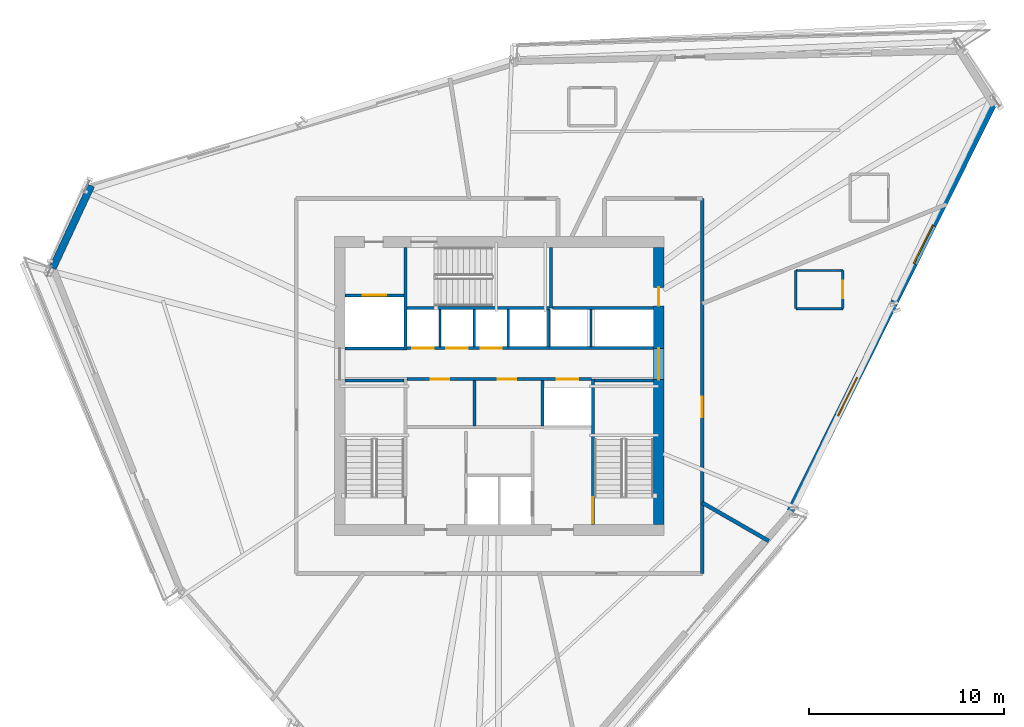
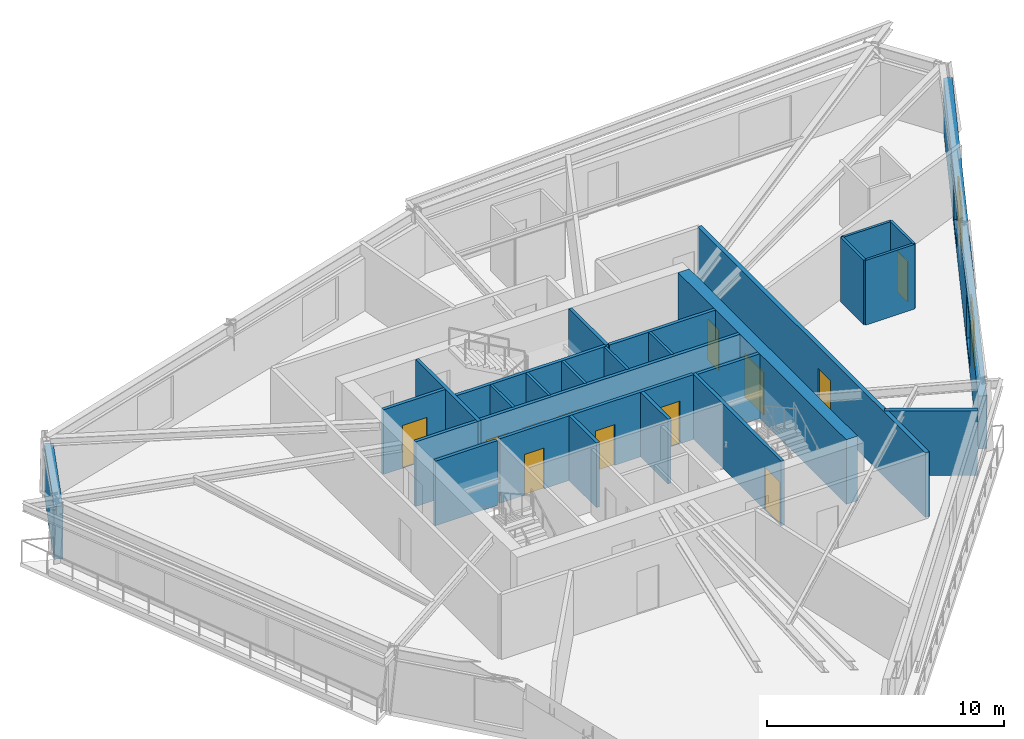
# One storey, part 8 of 13: 27 walls, 12 doors, 2 windows, 14 openings.
"""IFC4 building model written with IfcOpenShell, lengths in metres."""

from ifc_helpers import new_model, si_unit, direction, frame, frame_2d, origin, place, context, subcontext, project, spatial, rectangle, extrude, source, transform, mapped, material, layer, layer_set, type_object, type_shapes, element, fill, save


model = new_model("IFC4")

# Units and contexts
model_context = context("Model", 3, precision=1e-05, world=origin(), true_north=direction((0.0, 1.0)))
body_context = subcontext(model_context, "Body", "Model", "MODEL_VIEW")
ifc_project = project(units=[si_unit("LENGTHUNIT", "METRE"), si_unit("AREAUNIT", "SQUARE_METRE"), si_unit("VOLUMEUNIT", "CUBIC_METRE"), si_unit("PLANEANGLEUNIT", "RADIAN"), si_unit("MASSUNIT", "GRAM", prefix="KILO")], contexts=[model_context])

# Site, building, storey
site_placement = place(None, origin())
site = spatial("IfcSite", under=ifc_project, at=site_placement, CompositionType="ELEMENT")
building_placement = place(site_placement, origin())
building = spatial("IfcBuilding", under=site, at=building_placement, Name="Olszyna Solenne Hotel", CompositionType="ELEMENT")
storey_placement = place(building_placement, frame((0.0, 0.0, 167.89990234375)))
storey = spatial("IfcBuildingStorey", under=building, at=storey_placement, Name="L44", CompositionType="ELEMENT", Elevation=167.89990234375)

# Wall, openings, doors
ifc_material_1 = material(Name="Concrete C50/60", Category="concrete")
ifc_layer_1 = layer(ifc_material_1, 0.550048828125, Name="Concrete C50/60")
ifc_layer_set_1 = layer_set([ifc_layer_1], Name="Concrete C50/60")
wall_type_1 = type_object("IfcWallType", Name="WL-CR550", PredefinedType="SHEAR", material=ifc_layer_set_1)
wall_1_placement = place(storey_placement, frame((46.175048828125, 33.699951171875, 0.0), z_axis=(0.0, 0.0, 1.0), x_axis=(0.0, -1.0, 0.0)))
wall_1 = element("IfcWall", 1, at=wall_1_placement, inside=storey, type_object=wall_type_1, Name="Core shear wall WL-CR550 CRW-L44-E", PredefinedType="SHEAR", context=body_context, shape_type="SweptSolid", body=[
    extrude(rectangle(XDim=14.199951171875, YDim=0.550048828125, at=frame_2d((7.10009765625, 0.0))), origin(), (0.0, 0.0, 1.0), 3.330078125),
])
opening_1_placement = place(wall_1_placement, frame((5.179931640625, 0.0, 0.0)))
opening_1 = element("IfcOpeningElement", 2, at=opening_1_placement, cuts=wall_1, Name="Opening LHD-L44-E", PredefinedType="OPENING", context=body_context, shape_type="SweptSolid", body=[
    extrude(rectangle(XDim=1.60009765625, YDim=2.199951171875, at=frame_2d((0.800048828125, 1.10009765625))), frame((0.0, 0.28515625, 0.0), z_axis=(0.0, -1.0, 0.0), x_axis=(1.0, 0.0, 0.0)), (0.0, 0.0, 1.0), 0.570068359375),
])
opening_2_placement = place(wall_1_placement, frame((2.050048828125, 0.0, 0.0)))
opening_2 = element("IfcOpeningElement", 3, at=opening_2_placement, cuts=wall_1, Name="Opening SVD-L44-BE", PredefinedType="OPENING", context=body_context, shape_type="SweptSolid", body=[
    extrude(rectangle(XDim=0.949951171875, YDim=2.10009765625, at=frame_2d((0.47509765625, 1.050048828125))), frame((0.0, 0.28515625, 0.0), z_axis=(0.0, -1.0, 0.0), x_axis=(1.0, 0.0, 0.0)), (0.0, 0.0, 1.0), 0.570068359375),
])
ifc_material_2 = material(Name="Steel S355J2", Category="steel")
door_type_1 = type_object("IfcDoorType", Name="DR-SV1", OperationType="NOTDEFINED", PredefinedType="DOOR", material=ifc_material_2)
shared_shape_1 = source(origin(), body_context, "Body", "SweptSolid", [
    extrude(rectangle(XDim=0.949951171875, YDim=2.10009765625, at=frame_2d((0.47509765625, 1.050048828125))), frame((0.0, 0.02490234375, 0.0), z_axis=(0.0, -1.0, 0.0), x_axis=(1.0, 0.0, 0.0)), (0.0, 0.0, 1.0), 0.050048828125),
])
type_shapes(door_type_1, [shared_shape_1])
door_1_placement = place(opening_2_placement, origin())
door_1 = element("IfcDoor", 4, at=door_1_placement, inside=storey, type_object=door_type_1, Name="Housekeeping core fire door SVD-L44-BE", OperationType="SINGLE_SWING_RIGHT", OverallHeight=2.10009765625, OverallWidth=0.949951171875, PredefinedType="DOOR", context=body_context, shape_type="MappedRepresentation", body=[
    mapped(shared_shape_1, transform((0.0, 0.0, 0.0), x_axis=(1.0, 0.0, 0.0), y_axis=(0.0, 1.0, 0.0), z_axis=(0.0, 0.0, 1.0), scale=1.0)),
])
fill(opening_2, door_1)
ifc_material_3 = material(Name="Timber hardwood", Category="wood")
door_type_2 = type_object("IfcDoorType", Name="DR-CR1", OperationType="DOUBLE_DOOR_SINGLE_SWING", PredefinedType="DOOR", material=ifc_material_3)
shared_shape_2 = source(origin(), body_context, "Body", "SweptSolid", [
    extrude(rectangle(XDim=1.60009765625, YDim=2.199951171875, at=frame_2d((0.800048828125, 1.10009765625))), frame((0.0, 0.02490234375, 0.0), z_axis=(0.0, -1.0, 0.0), x_axis=(1.0, 0.0, 0.0)), (0.0, 0.0, 1.0), 0.050048828125),
])
type_shapes(door_type_2, [shared_shape_2])
door_2_placement = place(opening_1_placement, origin())
door_2 = element("IfcDoor", 5, at=door_2_placement, inside=storey, type_object=door_type_2, Name="Passenger lift lobby East fire door LHD-L44-E", OperationType="DOUBLE_DOOR_SINGLE_SWING", OverallHeight=2.199951171875, OverallWidth=1.60009765625, PredefinedType="DOOR", context=body_context, shape_type="MappedRepresentation", body=[
    mapped(shared_shape_2, transform((0.0, 0.0, 0.0), x_axis=(1.0, 0.0, 0.0), y_axis=(0.0, 1.0, 0.0), z_axis=(0.0, 0.0, 1.0), scale=1.0)),
])
fill(opening_1, door_2)

# Wall
ifc_material_4 = material(Name="Terracotta cladding on precast concrete C45/55", Category="masonry")
ifc_layer_2 = layer(ifc_material_4, 0.3798828125, Name="Terracotta cladding on precast concrete C45/55")
ifc_layer_set_2 = layer_set([ifc_layer_2], Name="Terracotta cladding on precast concrete C45/55")
wall_type_2 = type_object("IfcWallType", Name="WL-EX380", PredefinedType="SOLIDWALL", material=ifc_layer_set_2)
wall_2_placement = place(storey_placement, frame((15.120361328125, 32.633056640625, 0.0), z_axis=(0.0, 0.0, 1.0), x_axis=(0.422584737529, 0.906323418878, 0.0)))
element("IfcWall", 6, at=wall_2_placement, inside=storey, type_object=wall_type_2, Name="Exterior terracotta-precast frame wall WL-EX380 EW-L44-06", PredefinedType="SOLIDWALL", context=body_context, shape_type="SweptSolid", body=[
    extrude(rectangle(XDim=4.6669921875, YDim=0.3798828125, at=frame_2d((2.33349609375, 0.0))), origin(), (0.0, 0.0, 1.0), 2.72216796875),
])

# Wall, openings, windows
wall_3_placement = place(storey_placement, frame((63.3564453125, 41.166748046875, 0.0), z_axis=(0.0, 0.0, 1.0), x_axis=(-0.44519188478, -0.895435193482, 0.0)))
wall_3 = element("IfcWall", 7, at=wall_3_placement, inside=storey, type_object=wall_type_2, Name="Exterior terracotta-precast frame wall WL-EX380 EW-L44-10", PredefinedType="SOLIDWALL", context=body_context, shape_type="SweptSolid", body=[
    extrude(rectangle(XDim=23.440673828125, YDim=0.3798828125, at=frame_2d((11.72021484375, 0.0))), origin(), (0.0, 0.0, 1.0), 2.72216796875),
])
opening_3_placement = place(wall_3_placement, frame((7.06298828125, 0.0, 0.35205078125)))
opening_3 = element("IfcOpeningElement", 8, at=opening_3_placement, cuts=wall_3, Name="Opening WN-L44-276", PredefinedType="OPENING", context=body_context, shape_type="SweptSolid", body=[
    extrude(rectangle(XDim=2.199951171875, YDim=2.25, at=frame_2d((1.10009765625, 1.125))), frame((0.0, 0.199951171875, 0.0), z_axis=(0.0, -1.0, 0.0), x_axis=(1.0, 0.0, 0.0)), (0.0, 0.0, 1.0), 0.39990234375),
])
opening_4_placement = place(wall_3_placement, frame((15.777099609375, 0.0, 0.35205078125)))
opening_4 = element("IfcOpeningElement", 9, at=opening_4_placement, cuts=wall_3, Name="Opening WN-L44-277", PredefinedType="OPENING", context=body_context, shape_type="SweptSolid", body=[
    extrude(rectangle(XDim=2.199951171875, YDim=2.25, at=frame_2d((1.10009765625, 1.125))), frame((0.0, 0.199951171875, 0.0), z_axis=(0.0, -1.0, 0.0), x_axis=(1.0, 0.0, 0.0)), (0.0, 0.0, 1.0), 0.39990234375),
])
ifc_material_5 = material(Name="Low-E triple glazing", Category="glass")
window_type = type_object("IfcWindowType", Name="WN-HT2", PartitioningType="SINGLE_PANEL", PredefinedType="WINDOW", material=ifc_material_5)
shared_shape_3 = source(origin(), body_context, "Body", "SweptSolid", [
    extrude(rectangle(XDim=2.199951171875, YDim=2.25, at=frame_2d((1.10009765625, 1.125))), frame((0.0, 0.030029296875, 0.0), z_axis=(0.0, -1.0, 0.0), x_axis=(1.0, 0.0, 0.0)), (0.0, 0.0, 1.0), 0.06005859375),
])
type_shapes(window_type, [shared_shape_3])
window_1_placement = place(opening_3_placement, origin())
window_1 = element("IfcWindow", 10, at=window_1_placement, inside=storey, type_object=window_type, Name="Exterior facade window WN-HT2 WN-L44-276", OverallHeight=2.25, OverallWidth=2.199951171875, PartitioningType="SINGLE_PANEL", PredefinedType="WINDOW", context=body_context, shape_type="MappedRepresentation", body=[
    mapped(shared_shape_3, transform((0.0, 0.0, 0.0), x_axis=(1.0, 0.0, 0.0), y_axis=(0.0, 1.0, 0.0), z_axis=(0.0, 0.0, 1.0), scale=1.0)),
])
fill(opening_3, window_1)
window_2_placement = place(opening_4_placement, origin())
window_2 = element("IfcWindow", 11, at=window_2_placement, inside=storey, type_object=window_type, Name="Exterior facade window WN-HT2 WN-L44-277", OverallHeight=2.25, OverallWidth=2.199951171875, PartitioningType="SINGLE_PANEL", PredefinedType="WINDOW", context=body_context, shape_type="MappedRepresentation", body=[
    mapped(shared_shape_3, transform((0.0, 0.0, 0.0), x_axis=(1.0, 0.0, 0.0), y_axis=(0.0, 1.0, 0.0), z_axis=(0.0, 0.0, 1.0), scale=1.0)),
])
fill(opening_4, window_2)

# Walls
ifc_material_6 = material(Name="Acoustic gypsum partition", Category="gypsum")
ifc_layer_3 = layer(ifc_material_6, 0.125, Name="Acoustic gypsum partition")
ifc_layer_set_3 = layer_set([ifc_layer_3], Name="Acoustic gypsum partition")
wall_type_3 = type_object("IfcWallType", Name="WL-PT125", PredefinedType="PARTITIONING", material=ifc_layer_set_3)
for number, where, z_axis, x_axis, name in (
    (12, (34.965087890625, 28.60009765625, 0.0), (0.0, 0.0, 1.0), (0.0, 1.0, 0.0), "Core shaft compartment wall CW-L44-DIVN349"),
    (13, (36.715087890625, 28.60009765625, 0.0), (0.0, 0.0, 1.0), (0.0, 1.0, 0.0), "Core shaft compartment wall CW-L44-DIVN367"),
    (14, (38.465087890625, 28.60009765625, 0.0), (0.0, 0.0, 1.0), (0.0, 1.0, 0.0), "Core shaft compartment wall CW-L44-DIVN384"),
    (15, (40.52490234375, 28.60009765625, 0.0), (0.0, 0.0, 1.0), (0.0, 1.0, 0.0), "Core shaft compartment wall CW-L44-DIVEX405"),
    (16, (42.699951171875, 28.60009765625, 0.0), (0.0, 0.0, 1.0), (0.0, 1.0, 0.0), "Core shaft compartment wall CW-L44-DIVEX427"),
):
    element("IfcWall", number, at=place(storey_placement, frame(where, z_axis=z_axis, x_axis=x_axis)), inside=storey, type_object=wall_type_3, Name=name, PredefinedType="PARTITIONING", context=body_context, shape_type="SweptSolid", body=[
        extrude(rectangle(XDim=1.919921875, YDim=0.125, at=frame_2d((0.9599609375, 0.0))), origin(), (0.0, 0.0, 1.0), 3.330078125),
    ])

# Wall, opening, door
wall_4_placement = place(storey_placement, frame((55.596923828125, 30.56591796875, 0.0), z_axis=(0.0, 0.0, 1.0), x_axis=(0.0, 1.0, 0.0)))
wall_4 = element("IfcWall", 17, at=wall_4_placement, inside=storey, type_object=wall_type_3, Name="Interior acoustic partition WL-PT125 PW-L44-2475", PredefinedType="PARTITIONING", context=body_context, shape_type="SweptSolid", body=[
    extrude(rectangle(XDim=1.9501953125, YDim=0.125, at=frame_2d((0.97509765625, 0.0))), origin(), (0.0, 0.0, 1.0), 3.330078125),
])
opening_5_placement = place(wall_4_placement, frame((0.52490234375, 0.0, 0.0)))
opening_5 = element("IfcOpeningElement", 18, at=opening_5_placement, cuts=wall_4, Name="Opening DR-L44-0596", PredefinedType="OPENING", context=body_context, shape_type="SweptSolid", body=[
    extrude(rectangle(XDim=0.89990234375, YDim=2.10009765625, at=frame_2d((0.449951171875, 1.050048828125))), frame((0.0, 0.072509765625, 0.0), z_axis=(0.0, -1.0, 0.0), x_axis=(1.0, 0.0, 0.0)), (0.0, 0.0, 1.0), 0.14501953125),
])
door_type_3 = type_object("IfcDoorType", Name="DR-WC1", OperationType="NOTDEFINED", PredefinedType="DOOR", material=ifc_material_3)
shared_shape_4 = source(origin(), body_context, "Body", "SweptSolid", [
    extrude(rectangle(XDim=0.89990234375, YDim=2.10009765625, at=frame_2d((0.449951171875, 1.050048828125))), frame((0.0, 0.02490234375, 0.0), z_axis=(0.0, -1.0, 0.0), x_axis=(1.0, 0.0, 0.0)), (0.0, 0.0, 1.0), 0.050048828125),
])
type_shapes(door_type_3, [shared_shape_4])
door_3_placement = place(opening_5_placement, origin())
door_3 = element("IfcDoor", 19, at=door_3_placement, inside=storey, type_object=door_type_3, Name="En-Suite Bathroom Door DR-L44-0596", OperationType="SINGLE_SWING_LEFT", OverallHeight=2.10009765625, OverallWidth=0.89990234375, PredefinedType="DOOR", context=body_context, shape_type="MappedRepresentation", body=[
    mapped(shared_shape_4, transform((0.0, 0.0, 0.0), x_axis=(1.0, 0.0, 0.0), y_axis=(0.0, 1.0, 0.0), z_axis=(0.0, 0.0, 1.0), scale=1.0)),
])
fill(opening_5, door_3)

# Walls
wall_5_placement = place(storey_placement, frame((55.596923828125, 32.51611328125, 0.0), z_axis=(0.0, 0.0, 1.0), x_axis=(-1.0, 0.0, 0.0)))
element("IfcWall", 20, at=wall_5_placement, inside=storey, type_object=wall_type_3, Name="Interior acoustic partition WL-PT125 PW-L44-2476", PredefinedType="PARTITIONING", context=body_context, shape_type="SweptSolid", body=[
    extrude(rectangle(XDim=2.39990234375, YDim=0.125, at=frame_2d((1.199951171875, 0.0))), origin(), (0.0, 0.0, 1.0), 3.330078125),
])
wall_6_placement = place(storey_placement, frame((53.197021484375, 32.51611328125, 0.0), z_axis=(0.0, 0.0, 1.0), x_axis=(0.0, -1.0, 0.0)))
element("IfcWall", 21, at=wall_6_placement, inside=storey, type_object=wall_type_3, Name="Interior acoustic partition WL-PT125 PW-L44-2477", PredefinedType="PARTITIONING", context=body_context, shape_type="SweptSolid", body=[
    extrude(rectangle(XDim=1.9501953125, YDim=0.125, at=frame_2d((0.97509765625, 0.0))), origin(), (0.0, 0.0, 1.0), 3.330078125),
])
wall_7_placement = place(storey_placement, frame((53.197021484375, 30.56591796875, 0.0), z_axis=(0.0, 0.0, 1.0), x_axis=(1.0, 0.0, 0.0)))
element("IfcWall", 22, at=wall_7_placement, inside=storey, type_object=wall_type_3, Name="Interior acoustic partition WL-PT125 PW-L44-2478", PredefinedType="PARTITIONING", context=body_context, shape_type="SweptSolid", body=[
    extrude(rectangle(XDim=2.39990234375, YDim=0.125, at=frame_2d((1.199951171875, 0.0))), origin(), (0.0, 0.0, 1.0), 3.330078125),
])
ifc_layer_4 = layer(ifc_material_6, 0.159912109375, Name="Acoustic gypsum partition")
ifc_layer_set_4 = layer_set([ifc_layer_4], Name="Acoustic gypsum partition")
wall_type_4 = type_object("IfcWallType", Name="WL-PT160", PredefinedType="PARTITIONING", material=ifc_layer_set_4)
wall_8_placement = place(storey_placement, frame((30.10009765625, 26.8798828125, 0.0), z_axis=(0.0, 0.0, 1.0), x_axis=(1.0, 0.0, 0.0)))
element("IfcWall", 23, at=wall_8_placement, inside=storey, type_object=wall_type_4, Name="Core shaft compartment wall CW-L44-ST1N", PredefinedType="PARTITIONING", context=body_context, shape_type="SweptSolid", body=[
    extrude(rectangle(XDim=3.02001953125, YDim=0.159912109375, at=frame_2d((1.510009765625, 0.0))), origin(), (0.0, 0.0, 1.0), 3.330078125),
])

# Wall, opening, door
wall_9_placement = place(storey_placement, frame((42.800048828125, 26.9599609375, 0.0), z_axis=(0.0, 0.0, 1.0), x_axis=(0.0, -1.0, 0.0)))
wall_9 = element("IfcWall", 24, at=wall_9_placement, inside=storey, type_object=wall_type_4, Name="Core shaft compartment wall CW-L44-ST2W", PredefinedType="PARTITIONING", context=body_context, shape_type="SweptSolid", body=[
    extrude(rectangle(XDim=7.4599609375, YDim=0.159912109375, at=frame_2d((3.72998046875, 0.0))), origin(), (0.0, 0.0, 1.0), 3.330078125),
])
opening_6_placement = place(wall_9_placement, frame((6.06005859375, 0.0, 0.0)))
opening_6 = element("IfcOpeningElement", 25, at=opening_6_placement, cuts=wall_9, Name="Opening STD-L44-02", PredefinedType="OPENING", context=body_context, shape_type="SweptSolid", body=[
    extrude(rectangle(XDim=1.320068359375, YDim=2.199951171875, at=frame_2d((0.66015625, 1.10009765625))), frame((0.0, 0.08984375, 0.0), z_axis=(0.0, -1.0, 0.0), x_axis=(1.0, 0.0, 0.0)), (0.0, 0.0, 1.0), 0.179931640625),
])
door_type_4 = type_object("IfcDoorType", Name="DR-ST1", OperationType="NOTDEFINED", PredefinedType="DOOR", material=ifc_material_2)
shared_shape_5 = source(origin(), body_context, "Body", "SweptSolid", [
    extrude(rectangle(XDim=1.320068359375, YDim=2.199951171875, at=frame_2d((0.66015625, 1.10009765625))), frame((0.0, 0.02490234375, 0.0), z_axis=(0.0, -1.0, 0.0), x_axis=(1.0, 0.0, 0.0)), (0.0, 0.0, 1.0), 0.050048828125),
])
type_shapes(door_type_4, [shared_shape_5])
door_4_placement = place(opening_6_placement, origin())
door_4 = element("IfcDoor", 26, at=door_4_placement, inside=storey, type_object=door_type_4, Name="Pressurised exit stair ST2 fire door STD-L44-02", OperationType="SINGLE_SWING_RIGHT", OverallHeight=2.199951171875, OverallWidth=1.320068359375, PredefinedType="DOOR", context=body_context, shape_type="MappedRepresentation", body=[
    mapped(shared_shape_5, transform((0.0, 0.0, 0.0), x_axis=(1.0, 0.0, 0.0), y_axis=(0.0, 1.0, 0.0), z_axis=(0.0, 0.0, 1.0), scale=1.0)),
])
fill(opening_6, door_4)

# Walls
wall_10_placement = place(storey_placement, frame((42.8798828125, 26.8798828125, 0.0), z_axis=(0.0, 0.0, 1.0), x_axis=(1.0, 0.0, 0.0)))
element("IfcWall", 27, at=wall_10_placement, inside=storey, type_object=wall_type_4, Name="Core shaft compartment wall CW-L44-ST2N", PredefinedType="PARTITIONING", context=body_context, shape_type="SweptSolid", body=[
    extrude(rectangle(XDim=3.02001953125, YDim=0.159912109375, at=frame_2d((1.510009765625, 0.0))), origin(), (0.0, 0.0, 1.0), 3.330078125),
])
wall_11_placement = place(storey_placement, frame((33.280029296875, 30.60009765625, 0.0), z_axis=(0.0, 0.0, 1.0), x_axis=(1.0, 0.0, 0.0)))
element("IfcWall", 28, at=wall_11_placement, inside=storey, type_object=wall_type_4, Name="Core shaft compartment wall CW-L44-ST3S", PredefinedType="PARTITIONING", context=body_context, shape_type="SweptSolid", body=[
    extrude(rectangle(XDim=7.300048828125, YDim=0.159912109375, at=frame_2d((3.64990234375, 0.0))), origin(), (0.0, 0.0, 1.0), 3.330078125),
])
wall_12_placement = place(storey_placement, frame((40.659912109375, 30.60009765625, 0.0), z_axis=(0.0, 0.0, 1.0), x_axis=(0.0, 1.0, 0.0)))
element("IfcWall", 29, at=wall_12_placement, inside=storey, type_object=wall_type_4, Name="Core shaft compartment wall CW-L44-ST3E", PredefinedType="PARTITIONING", context=body_context, shape_type="SweptSolid", body=[
    extrude(rectangle(XDim=3.099853515625, YDim=0.159912109375, at=frame_2d((1.5498046875, 0.0))), origin(), (0.0, 0.0, 1.0), 3.330078125),
])
wall_13_placement = place(storey_placement, frame((30.10009765625, 28.52001953125, 0.0), z_axis=(0.0, 0.0, 1.0), x_axis=(1.0, 0.0, 0.0)))
element("IfcWall", 30, at=wall_13_placement, inside=storey, type_object=wall_type_4, Name="Core shaft compartment wall CW-L44-SV1S", PredefinedType="PARTITIONING", context=body_context, shape_type="SweptSolid", body=[
    extrude(rectangle(XDim=3.02001953125, YDim=0.159912109375, at=frame_2d((1.510009765625, 0.0))), origin(), (0.0, 0.0, 1.0), 3.330078125),
])
wall_14_placement = place(storey_placement, frame((33.199951171875, 28.43994140625, 0.0), z_axis=(0.0, 0.0, 1.0), x_axis=(0.0, 1.0, 0.0)))
element("IfcWall", 31, at=wall_14_placement, inside=storey, type_object=wall_type_4, Name="Core shaft compartment wall CW-L44-SV1E", PredefinedType="PARTITIONING", context=body_context, shape_type="SweptSolid", body=[
    extrude(rectangle(XDim=5.260009765625, YDim=0.159912109375, at=frame_2d((2.6298828125, 0.0))), origin(), (0.0, 0.0, 1.0), 3.330078125),
])

# Wall, opening, door
wall_15_placement = place(storey_placement, frame((30.10009765625, 31.239990234375, 0.0), z_axis=(0.0, 0.0, 1.0), x_axis=(1.0, 0.0, 0.0)))
wall_15 = element("IfcWall", 32, at=wall_15_placement, inside=storey, type_object=wall_type_4, Name="Core shaft compartment wall CW-L44-SV1N", PredefinedType="PARTITIONING", context=body_context, shape_type="SweptSolid", body=[
    extrude(rectangle(XDim=3.02001953125, YDim=0.159912109375, at=frame_2d((1.510009765625, 0.0))), origin(), (0.0, 0.0, 1.0), 3.330078125),
])
opening_7_placement = place(wall_15_placement, frame((0.909912109375, 0.0, 0.0)))
opening_7 = element("IfcOpeningElement", 33, at=opening_7_placement, cuts=wall_15, Name="Opening LD-L44-SV1", PredefinedType="OPENING", context=body_context, shape_type="SweptSolid", body=[
    extrude(rectangle(XDim=1.199951171875, YDim=2.199951171875, at=frame_2d((0.60009765625, 1.10009765625))), frame((0.0, 0.08984375, 0.0), z_axis=(0.0, -1.0, 0.0), x_axis=(1.0, 0.0, 0.0)), (0.0, 0.0, 1.0), 0.179931640625),
])
door_type_5 = type_object("IfcDoorType", Name="LD-FF1", OperationType="DOUBLE_DOOR_SLIDING", PredefinedType="DOOR", material=ifc_material_2)
shared_shape_6 = source(origin(), body_context, "Body", "SweptSolid", [
    extrude(rectangle(XDim=1.199951171875, YDim=2.199951171875, at=frame_2d((0.60009765625, 1.10009765625))), frame((0.0, 0.02490234375, 0.0), z_axis=(0.0, -1.0, 0.0), x_axis=(1.0, 0.0, 0.0)), (0.0, 0.0, 1.0), 0.050048828125),
])
type_shapes(door_type_5, [shared_shape_6])
door_5_placement = place(opening_7_placement, origin())
door_5 = element("IfcDoor", 34, at=door_5_placement, inside=storey, type_object=door_type_5, Name="Service lift SV1 sliding landing door LD-L44-SV1", OperationType="DOUBLE_DOOR_SLIDING", OverallHeight=2.199951171875, OverallWidth=1.199951171875, PredefinedType="DOOR", context=body_context, shape_type="MappedRepresentation", body=[
    mapped(shared_shape_6, transform((0.0, 0.0, 0.0), x_axis=(1.0, 0.0, 0.0), y_axis=(0.0, 1.0, 0.0), z_axis=(0.0, 0.0, 1.0), scale=1.0)),
])
fill(opening_7, door_5)

# Wall, openings, doors
wall_16_placement = place(storey_placement, frame((33.280029296875, 26.949951171875, 0.0), z_axis=(0.0, 0.0, 1.0), x_axis=(1.0, 0.0, 0.0)))
wall_16 = element("IfcWall", 35, at=wall_16_placement, inside=storey, type_object=wall_type_4, Name="Core shaft compartment wall CW-L44-LRS", PredefinedType="PARTITIONING", context=body_context, shape_type="SweptSolid", body=[
    extrude(rectangle(XDim=9.43994140625, YDim=0.159912109375, at=frame_2d((4.719970703125, 0.0))), origin(), (0.0, 0.0, 1.0), 3.330078125),
])
opening_8_placement = place(wall_16_placement, frame((1.199951171875, 0.0, 0.0)))
opening_8 = element("IfcOpeningElement", 36, at=opening_8_placement, cuts=wall_16, Name="Opening SVD-L44-L71", PredefinedType="OPENING", context=body_context, shape_type="SweptSolid", body=[
    extrude(rectangle(XDim=0.949951171875, YDim=2.10009765625, at=frame_2d((0.47509765625, 1.050048828125))), frame((0.0, 0.08984375, 0.0), z_axis=(0.0, -1.0, 0.0), x_axis=(1.0, 0.0, 0.0)), (0.0, 0.0, 1.0), 0.179931640625),
])
opening_9_placement = place(wall_16_placement, frame((4.64990234375, 0.0, 0.0)))
opening_9 = element("IfcOpeningElement", 37, at=opening_9_placement, cuts=wall_16, Name="Opening SVD-L44-L72", PredefinedType="OPENING", context=body_context, shape_type="SweptSolid", body=[
    extrude(rectangle(XDim=0.949951171875, YDim=2.10009765625, at=frame_2d((0.47509765625, 1.050048828125))), frame((0.0, 0.08984375, 0.0), z_axis=(0.0, -1.0, 0.0), x_axis=(1.0, 0.0, 0.0)), (0.0, 0.0, 1.0), 0.179931640625),
])
opening_10_placement = place(wall_16_placement, frame((7.669921875, 0.0, 0.0)))
opening_10 = element("IfcOpeningElement", 38, at=opening_10_placement, cuts=wall_16, Name="Opening LD-L44-PL5", PredefinedType="OPENING", context=body_context, shape_type="SweptSolid", body=[
    extrude(rectangle(XDim=1.10009765625, YDim=2.199951171875, at=frame_2d((0.550048828125, 1.10009765625))), frame((0.0, 0.08984375, 0.0), z_axis=(0.0, -1.0, 0.0), x_axis=(1.0, 0.0, 0.0)), (0.0, 0.0, 1.0), 0.179931640625),
])
door_6_placement = place(opening_8_placement, origin())
door_6 = element("IfcDoor", 39, at=door_6_placement, inside=storey, type_object=door_type_1, Name="Recaptured core room fire door SVD-L44-L71", OperationType="SINGLE_SWING_LEFT", OverallHeight=2.10009765625, OverallWidth=0.949951171875, PredefinedType="DOOR", context=body_context, shape_type="MappedRepresentation", body=[
    mapped(shared_shape_1, transform((0.0, 0.0, 0.0), x_axis=(1.0, 0.0, 0.0), y_axis=(0.0, 1.0, 0.0), z_axis=(0.0, 0.0, 1.0), scale=1.0)),
])
fill(opening_8, door_6)
door_7_placement = place(opening_9_placement, origin())
door_7 = element("IfcDoor", 40, at=door_7_placement, inside=storey, type_object=door_type_1, Name="Recaptured core room fire door SVD-L44-L72", OperationType="SINGLE_SWING_RIGHT", OverallHeight=2.10009765625, OverallWidth=0.949951171875, PredefinedType="DOOR", context=body_context, shape_type="MappedRepresentation", body=[
    mapped(shared_shape_1, transform((0.0, 0.0, 0.0), x_axis=(1.0, 0.0, 0.0), y_axis=(0.0, 1.0, 0.0), z_axis=(0.0, 0.0, 1.0), scale=1.0)),
])
fill(opening_9, door_7)
door_type_6 = type_object("IfcDoorType", Name="LD-P1", OperationType="DOUBLE_DOOR_SLIDING", PredefinedType="DOOR", material=ifc_material_2)
shared_shape_7 = source(origin(), body_context, "Body", "SweptSolid", [
    extrude(rectangle(XDim=1.10009765625, YDim=2.199951171875, at=frame_2d((0.550048828125, 1.10009765625))), frame((0.0, 0.02490234375, 0.0), z_axis=(0.0, -1.0, 0.0), x_axis=(1.0, 0.0, 0.0)), (0.0, 0.0, 1.0), 0.050048828125),
])
type_shapes(door_type_6, [shared_shape_7])
door_8_placement = place(opening_10_placement, origin())
door_8 = element("IfcDoor", 41, at=door_8_placement, inside=storey, type_object=door_type_6, Name="Passenger lift PL5 sliding landing door LD-L44-PL5", OperationType="DOUBLE_DOOR_SLIDING", OverallHeight=2.199951171875, OverallWidth=1.10009765625, PredefinedType="DOOR", context=body_context, shape_type="MappedRepresentation", body=[
    mapped(shared_shape_7, transform((0.0, 0.0, 0.0), x_axis=(1.0, 0.0, 0.0), y_axis=(0.0, 1.0, 0.0), z_axis=(0.0, 0.0, 1.0), scale=1.0)),
])
fill(opening_10, door_8)

# Walls
for number, where, z_axis, x_axis, name in (
    (42, (36.72998046875, 24.56005859375, 0.0), (0.0, 0.0, 1.0), (0.0, 1.0, 0.0), "Core shaft compartment wall CW-L44-LV7DIV1"),
    (43, (40.215087890625, 24.56005859375, 0.0), (0.0, 0.0, 1.0), (0.0, 1.0, 0.0), "Core shaft compartment wall CW-L44-LV7DIV2"),
):
    element("IfcWall", number, at=place(storey_placement, frame(where, z_axis=z_axis, x_axis=x_axis)), inside=storey, type_object=wall_type_4, Name=name, PredefinedType="PARTITIONING", context=body_context, shape_type="SweptSolid", body=[
        extrude(rectangle(XDim=2.31005859375, YDim=0.159912109375, at=frame_2d((1.155029296875, 0.0))), origin(), (0.0, 0.0, 1.0), 3.330078125),
    ])

# Wall, openings, doors
wall_17_placement = place(storey_placement, frame((33.280029296875, 28.5400390625, 0.0), z_axis=(0.0, 0.0, 1.0), x_axis=(1.0, 0.0, 0.0)))
wall_17 = element("IfcWall", 44, at=wall_17_placement, inside=storey, type_object=wall_type_4, Name="Core shaft compartment wall CW-L44-LRN", PredefinedType="PARTITIONING", context=body_context, shape_type="SweptSolid", body=[
    extrude(rectangle(XDim=12.619873046875, YDim=0.159912109375, at=frame_2d((6.31005859375, 0.0))), origin(), (0.0, 0.0, 1.0), 3.330078125),
])
opening_11_placement = place(wall_17_placement, frame((0.260009765625, 0.0, 0.0)))
opening_11 = element("IfcOpeningElement", 45, at=opening_11_placement, cuts=wall_17, Name="Opening LD-L44-PL6", PredefinedType="OPENING", context=body_context, shape_type="SweptSolid", body=[
    extrude(rectangle(XDim=1.10009765625, YDim=2.199951171875, at=frame_2d((0.550048828125, 1.10009765625))), frame((0.0, 0.08984375, 0.0), z_axis=(0.0, -1.0, 0.0), x_axis=(1.0, 0.0, 0.0)), (0.0, 0.0, 1.0), 0.179931640625),
])
opening_12_placement = place(wall_17_placement, frame((2.010009765625, 0.0, 0.0)))
opening_12 = element("IfcOpeningElement", 46, at=opening_12_placement, cuts=wall_17, Name="Opening LD-L44-PL7", PredefinedType="OPENING", context=body_context, shape_type="SweptSolid", body=[
    extrude(rectangle(XDim=1.10009765625, YDim=2.199951171875, at=frame_2d((0.550048828125, 1.10009765625))), frame((0.0, 0.08984375, 0.0), z_axis=(0.0, -1.0, 0.0), x_axis=(1.0, 0.0, 0.0)), (0.0, 0.0, 1.0), 0.179931640625),
])
opening_13_placement = place(wall_17_placement, frame((3.760009765625, 0.0, 0.0)))
opening_13 = element("IfcOpeningElement", 47, at=opening_13_placement, cuts=wall_17, Name="Opening LD-L44-PL8", PredefinedType="OPENING", context=body_context, shape_type="SweptSolid", body=[
    extrude(rectangle(XDim=1.10009765625, YDim=2.199951171875, at=frame_2d((0.550048828125, 1.10009765625))), frame((0.0, 0.08984375, 0.0), z_axis=(0.0, -1.0, 0.0), x_axis=(1.0, 0.0, 0.0)), (0.0, 0.0, 1.0), 0.179931640625),
])
door_9_placement = place(opening_11_placement, origin())
door_9 = element("IfcDoor", 48, at=door_9_placement, inside=storey, type_object=door_type_6, Name="Passenger lift PL6 sliding landing door LD-L44-PL6", OperationType="DOUBLE_DOOR_SLIDING", OverallHeight=2.199951171875, OverallWidth=1.10009765625, PredefinedType="DOOR", context=body_context, shape_type="MappedRepresentation", body=[
    mapped(shared_shape_7, transform((0.0, 0.0, 0.0), x_axis=(1.0, 0.0, 0.0), y_axis=(0.0, 1.0, 0.0), z_axis=(0.0, 0.0, 1.0), scale=1.0)),
])
fill(opening_11, door_9)
door_10_placement = place(opening_12_placement, origin())
door_10 = element("IfcDoor", 49, at=door_10_placement, inside=storey, type_object=door_type_6, Name="Passenger lift PL7 sliding landing door LD-L44-PL7", OperationType="DOUBLE_DOOR_SLIDING", OverallHeight=2.199951171875, OverallWidth=1.10009765625, PredefinedType="DOOR", context=body_context, shape_type="MappedRepresentation", body=[
    mapped(shared_shape_7, transform((0.0, 0.0, 0.0), x_axis=(1.0, 0.0, 0.0), y_axis=(0.0, 1.0, 0.0), z_axis=(0.0, 0.0, 1.0), scale=1.0)),
])
fill(opening_12, door_10)
door_11_placement = place(opening_13_placement, origin())
door_11 = element("IfcDoor", 50, at=door_11_placement, inside=storey, type_object=door_type_6, Name="Passenger lift PL8 sliding landing door LD-L44-PL8", OperationType="DOUBLE_DOOR_SLIDING", OverallHeight=2.199951171875, OverallWidth=1.10009765625, PredefinedType="DOOR", context=body_context, shape_type="MappedRepresentation", body=[
    mapped(shared_shape_7, transform((0.0, 0.0, 0.0), x_axis=(1.0, 0.0, 0.0), y_axis=(0.0, 1.0, 0.0), z_axis=(0.0, 0.0, 1.0), scale=1.0)),
])
fill(opening_13, door_11)

# Walls
wall_18_placement = place(storey_placement, frame((40.719970703125, 30.60009765625, 0.0), z_axis=(0.0, 0.0, 1.0), x_axis=(1.0, 0.0, 0.0)))
element("IfcWall", 51, at=wall_18_placement, inside=storey, type_object=wall_type_4, Name="Core shaft compartment wall CW-L44-LRNTOP", PredefinedType="PARTITIONING", context=body_context, shape_type="SweptSolid", body=[
    extrude(rectangle(XDim=5.179931640625, YDim=0.159912109375, at=frame_2d((2.58984375, 0.0))), origin(), (0.0, 0.0, 1.0), 3.330078125),
])
ifc_layer_5 = layer(ifc_material_6, 0.199951171875, Name="Acoustic gypsum partition")
ifc_layer_set_5 = layer_set([ifc_layer_5], Name="Acoustic gypsum partition")
wall_type_5 = type_object("IfcWallType", Name="WL-PT200", PredefinedType="PARTITIONING", material=ifc_layer_set_5)
wall_19_placement = place(storey_placement, frame((48.39990234375, 20.61962890625, 0.0), z_axis=(0.0, 0.0, 1.0), x_axis=(0.866931821356, -0.498426741979, 0.0)))
element("IfcWall", 52, at=wall_19_placement, inside=storey, type_object=wall_type_5, Name="Interior acoustic partition WL-PT200 PW-L44-2472", PredefinedType="PARTITIONING", context=body_context, shape_type="SweptSolid", body=[
    extrude(rectangle(XDim=3.927490234375, YDim=0.199951171875, at=frame_2d((1.9638671875, 0.0))), origin(), (0.0, 0.0, 1.0), 3.330078125),
])

# Wall, opening, door
wall_20_placement = place(storey_placement, frame((48.39990234375, 17.0, 0.0), z_axis=(0.0, 0.0, 1.0), x_axis=(0.0, 1.0, 0.0)))
wall_20 = element("IfcWall", 53, at=wall_20_placement, inside=storey, type_object=wall_type_5, Name="Interior acoustic partition WL-PT200 PW-L44-2493", PredefinedType="PARTITIONING", context=body_context, shape_type="SweptSolid", body=[
    extrude(rectangle(XDim=19.199951171875, YDim=0.199951171875, at=frame_2d((9.60009765625, 0.0))), origin(), (0.0, 0.0, 1.0), 3.330078125),
])
opening_14_placement = place(wall_20_placement, frame((7.9990234375, 0.0, 0.0)))
opening_14 = element("IfcOpeningElement", 54, at=opening_14_placement, cuts=wall_20, Name="Opening DR-L44-0604", PredefinedType="OPENING", context=body_context, shape_type="SweptSolid", body=[
    extrude(rectangle(XDim=1.050048828125, YDim=2.199951171875, at=frame_2d((0.52490234375, 1.10009765625))), frame((0.0, 0.10986328125, 0.0), z_axis=(0.0, -1.0, 0.0), x_axis=(1.0, 0.0, 0.0)), (0.0, 0.0, 1.0), 0.219970703125),
])
door_type_7 = type_object("IfcDoorType", Name="DR-RM2", OperationType="NOTDEFINED", PredefinedType="DOOR", material=ifc_material_3)
shared_shape_8 = source(origin(), body_context, "Body", "SweptSolid", [
    extrude(rectangle(XDim=1.050048828125, YDim=2.199951171875, at=frame_2d((0.52490234375, 1.10009765625))), frame((0.0, 0.02490234375, 0.0), z_axis=(0.0, -1.0, 0.0), x_axis=(1.0, 0.0, 0.0)), (0.0, 0.0, 1.0), 0.050048828125),
])
type_shapes(door_type_7, [shared_shape_8])
door_12_placement = place(opening_14_placement, origin())
door_12 = element("IfcDoor", 55, at=door_12_placement, inside=storey, type_object=door_type_7, Name="Corner Panorama Suite Entrance Door DR-L44-0604", OperationType="SINGLE_SWING_RIGHT", OverallHeight=2.199951171875, OverallWidth=1.050048828125, PredefinedType="DOOR", context=body_context, shape_type="MappedRepresentation", body=[
    mapped(shared_shape_8, transform((0.0, 0.0, 0.0), x_axis=(1.0, 0.0, 0.0), y_axis=(0.0, 1.0, 0.0), z_axis=(0.0, 0.0, 1.0), scale=1.0)),
])
fill(opening_14, door_12)

save(model, "model.ifc")
